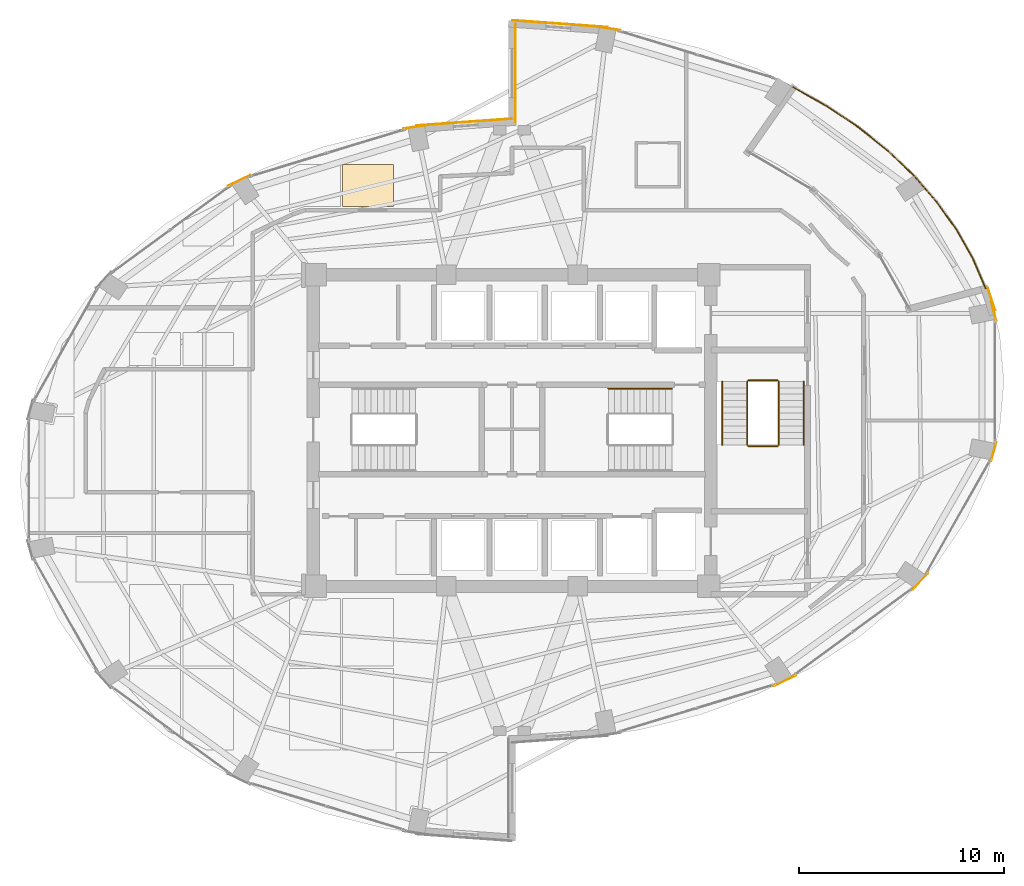
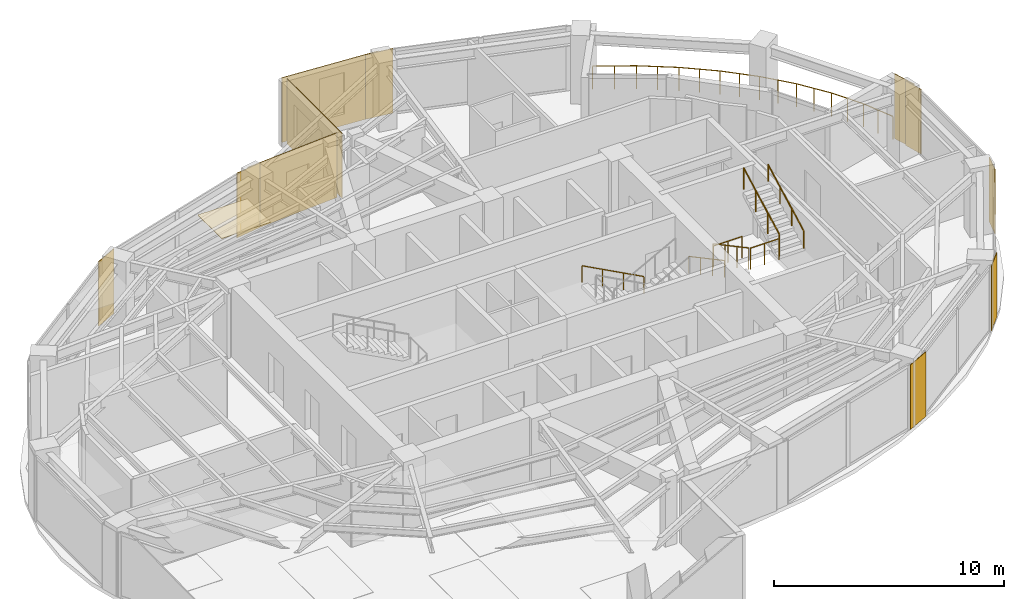
# One storey, part 19 of 19: 15 railings, 12 coverings.
"""IFC4 building model written with IfcOpenShell, lengths in metres."""

from ifc_helpers import new_model, si_unit, direction, frame, origin, origin_2d, place, context, subcontext, project, spatial, polyline, rectangle, circle, outline, extrude, material, layer, layer_set, type_object, element, save


model = new_model("IFC4")

# Units and contexts
model_context = context("Model", 3, precision=1e-05, world=origin(), true_north=direction((0.0, 1.0)))
body_context = subcontext(model_context, "Body", "Model", "MODEL_VIEW")
ifc_project = project(units=[si_unit("LENGTHUNIT", "METRE"), si_unit("AREAUNIT", "SQUARE_METRE"), si_unit("VOLUMEUNIT", "CUBIC_METRE"), si_unit("PLANEANGLEUNIT", "RADIAN"), si_unit("MASSUNIT", "GRAM", prefix="KILO")], contexts=[model_context])

# Site, building, storey
site_placement = place(None, origin())
site = spatial("IfcSite", under=ifc_project, at=site_placement, CompositionType="ELEMENT")
building_placement = place(site_placement, origin())
building = spatial("IfcBuilding", under=site, at=building_placement, Name="Lazwardi Medical Tower", CompositionType="ELEMENT")
storey_placement = place(building_placement, frame((0.0, 0.0, 163.823974609375)))
storey = spatial("IfcBuildingStorey", under=building, at=storey_placement, Name="L42", CompositionType="ELEMENT", Elevation=163.823974609375)

# Coverings
ifc_material_1 = material(Name="Anodised bronze aluminium cassette cladding", Category="aluminium")
ifc_layer_1 = layer(ifc_material_1, 0.030029296875)
ifc_layer_set_1 = layer_set([ifc_layer_1], Name="Anodised bronze aluminium cassette cladding")
covering_type_1 = type_object("IfcCoveringType", Name="COV-CLD-BRZ", PredefinedType="CLADDING", material=ifc_layer_set_1)
covering_1_placement = place(storey_placement, frame((49.31103515625, 15.798095703125, 0.0), z_axis=(0.0, 0.0, 1.0), x_axis=(0.898079014814, 0.439834154144, 0.0)))
element("IfcCovering", 1, at=covering_1_placement, inside=storey, type_object=covering_type_1, Name="L42 Mega-column bronze cassette cover M02", PredefinedType="CLADDING", context=body_context, shape_type="SweptSolid", body=[
    extrude(rectangle(XDim=1.200439453125, YDim=0.030029296875, at=origin_2d()), origin(), (0.0, 0.0, 1.0), 3.427978515625),
])
covering_2_placement = place(storey_placement, frame((55.92138671875, 20.643310546875, 0.0), z_axis=(0.0, 0.0, 1.0), x_axis=(0.673714459537, 0.738991763832, 0.0)))
element("IfcCovering", 2, at=covering_2_placement, inside=storey, type_object=covering_type_1, Name="L42 Mega-column bronze cassette cover M03", PredefinedType="CLADDING", context=body_context, shape_type="SweptSolid", body=[
    extrude(rectangle(XDim=1.0693359375, YDim=0.030029296875, at=origin_2d()), origin(), (0.0, 0.0, 1.0), 3.427978515625),
])
for number, where, z_axis, x_axis, name in (
    (3, (59.498779296875, 26.973876953125, 0.0), (0.0, 0.0, 1.0), (0.261828726257, 0.965114354938, 0.0), "L42 Mega-column bronze cassette cover M04"),
    (4, (59.498779296875, 33.826171875, 0.0), (0.0, 0.0, 1.0), (-0.261828726257, 0.965114354938, 0.0), "L42 Mega-column bronze cassette cover M05"),
):
    element("IfcCovering", number, at=place(storey_placement, frame(where, z_axis=z_axis, x_axis=x_axis)), inside=storey, type_object=covering_type_1, Name=name, PredefinedType="CLADDING", context=body_context, shape_type="SweptSolid", body=[
        extrude(rectangle(XDim=0.9658203125, YDim=0.030029296875, at=origin_2d()), origin(), (0.0, 0.0, 1.0), 3.427978515625),
    ])
for number, where, z_axis, x_axis, name in (
    (5, (40.67431640625, 47.6240234375, 0.0), (0.0, 0.0, 1.0), (-0.989539138138, 0.144264666823, 0.0), "L42 Mega-column bronze cassette cover M08"),
    (6, (31.32568359375, 42.82421875, 0.0), (0.0, 0.0, 1.0), (-0.989539138138, -0.144264666823, 0.0), "L42 Mega-column bronze cassette cover M09"),
):
    element("IfcCovering", number, at=place(storey_placement, frame(where, z_axis=z_axis, x_axis=x_axis)), inside=storey, type_object=covering_type_1, Name=name, PredefinedType="CLADDING", context=body_context, shape_type="SweptSolid", body=[
        extrude(rectangle(XDim=1.28515625, YDim=0.030029296875, at=origin_2d()), origin(), (0.0, 0.0, 1.0), 3.427978515625),
    ])
covering_3_placement = place(storey_placement, frame((22.68896484375, 40.201904296875, 0.0), z_axis=(0.0, 0.0, 1.0), x_axis=(-0.898079014814, -0.439834154144, 0.0)))
element("IfcCovering", 7, at=covering_3_placement, inside=storey, type_object=covering_type_1, Name="L42 Mega-column bronze cassette cover M10", PredefinedType="CLADDING", context=body_context, shape_type="SweptSolid", body=[
    extrude(rectangle(XDim=1.200439453125, YDim=0.030029296875, at=origin_2d()), origin(), (0.0, 0.0, 1.0), 3.427978515625),
])
ifc_material_2 = material(Name="Turquoise glazed ceramic tilework cladding", Category="masonry")
ifc_layer_2 = layer(ifc_material_2, 0.034912109375)
ifc_layer_set_2 = layer_set([ifc_layer_2], Name="Turquoise glazed ceramic tilework cladding")
covering_type_2 = type_object("IfcCoveringType", Name="COV-CLD-TRQ", PredefinedType="CLADDING", material=ifc_layer_set_2)
covering_4_placement = place(storey_placement, frame((38.338134765625, 47.847412109375, 0.0), z_axis=(0.0, 0.0, 1.0), x_axis=(-0.997414510753, 0.071863020663, 0.0)))
element("IfcCovering", 8, at=covering_4_placement, inside=storey, type_object=covering_type_2, Name="L42 Turquoise glazed ceramic tilework cladding", PredefinedType="CLADDING", context=body_context, shape_type="SweptSolid", body=[
    extrude(rectangle(XDim=4.6630859375, YDim=0.034912109375, at=origin_2d()), origin(), (0.0, 0.0, 1.0), 3.427978515625),
])
covering_5_placement = place(storey_placement, frame((33.66162109375, 43.047607421875, 0.0), z_axis=(0.0, 0.0, 1.0), x_axis=(-0.997414134466, -0.071868243112, 0.0)))
element("IfcCovering", 9, at=covering_5_placement, inside=storey, type_object=covering_type_2, Name="L42 Turquoise glazed ceramic tilework cladding", PredefinedType="CLADDING", context=body_context, shape_type="SweptSolid", body=[
    extrude(rectangle(XDim=4.66259765625, YDim=0.034912109375, at=origin_2d()), origin(), (0.0, 0.0, 1.0), 3.427978515625),
])
covering_6_placement = place(storey_placement, frame((36.175537109375, 45.43994140625, 0.0), z_axis=(0.0, 0.0, 1.0), x_axis=(0.0, -1.0, 0.0)))
element("IfcCovering", 10, at=covering_6_placement, inside=storey, type_object=covering_type_2, Name="L42 Turquoise glazed ceramic tilework iwan panel", PredefinedType="CLADDING", context=body_context, shape_type="SweptSolid", body=[
    extrude(rectangle(XDim=4.800048828125, YDim=0.034912109375, at=origin_2d()), origin(), (0.0, 0.0, 1.0), 3.427978515625),
])
covering_7_placement = place(storey_placement, frame((59.3916015625, 34.416015625, 0.0), z_axis=(0.0, 0.0, 1.0), x_axis=(-0.303560814538, 0.95281206535, 0.0)))
element("IfcCovering", 11, at=covering_7_placement, inside=storey, type_object=covering_type_2, Name="L42 Turquoise glazed ceramic tilework cladding", PredefinedType="CLADDING", context=body_context, shape_type="SweptSolid", body=[
    extrude(rectangle(XDim=1.167724609375, YDim=0.034912109375, at=origin_2d()), origin(), (0.0, 0.0, 1.0), 3.427978515625),
])
ifc_material_3 = material(Name="Acoustic mineral fibre tile")
ifc_layer_3 = layer(ifc_material_3, 0.02490234375)
ifc_layer_set_3 = layer_set([ifc_layer_3], Name="Acoustic mineral fibre tile")
covering_type_3 = type_object("IfcCoveringType", Name="COV-CLG-01", PredefinedType="CEILING", material=ifc_layer_set_3)
covering_8_placement = place(storey_placement, frame((0.0, 0.0, 3.282958984375)))
element("IfcCovering", 12, at=covering_8_placement, inside=storey, type_object=covering_type_3, Name="L42 Clinical Acoustic Ceiling 9", PredefinedType="CEILING", context=body_context, shape_type="SweptSolid", body=[
    extrude(outline(polyline([(27.742919921875, 38.925048828125), (30.222900390625, 38.925048828125), (30.222900390625, 40.992431640625), (27.742919921875, 40.992431640625), (27.742919921875, 38.925048828125)])), origin(), (0.0, 0.0, 1.0), 0.025146484375),
])

# Railings
ifc_material_4 = material(Name="Stainless steel Grade 316", Category="steel")
railing_type_1 = type_object("IfcRailingType", Name="RLG-GRD-1150", PredefinedType="GUARDRAIL", material=ifc_material_4)
railing_1_placement = place(storey_placement, frame((47.469970703125, 30.39990234375, 0.165771484375)))
element("IfcRailing", 13, at=railing_1_placement, inside=storey, type_object=railing_type_1, Name="L42 ST3 stair guard 1", PredefinedType="GUARDRAIL", context=body_context, shape_type="SweptSolid", body=[
    extrude(circle(Radius=0.02392578125, at=origin_2d()), frame((0.0, 0.0, 1.1259765625), z_axis=(0.0, -0.881767849116, 0.471683644262), x_axis=(1.0, 0.0, 0.0)), (0.0, 0.0, 1.0), 3.515380859375),
    extrude(circle(Radius=0.02099609375, at=origin_2d()), origin(), (0.0, 0.0, 1.0), 1.099853515625),
    extrude(circle(Radius=0.02099609375, at=origin_2d()), frame((0.0, -1.033203125, 0.552734375)), (0.0, 0.0, 1.0), 1.099853515625),
    extrude(circle(Radius=0.02099609375, at=origin_2d()), frame((0.0, -2.066650390625, 1.10546875)), (0.0, 0.0, 1.0), 1.099853515625),
    extrude(circle(Radius=0.02099609375, at=origin_2d()), frame((0.0, -3.099853515625, 1.658203125)), (0.0, 0.0, 1.0), 1.099853515625),
])
railing_2_placement = place(storey_placement, frame((47.52001953125, 27.25, 1.823974609375)))
element("IfcRailing", 14, at=railing_2_placement, inside=storey, type_object=railing_type_1, Name="L42 ST3 stair guard 2", PredefinedType="GUARDRAIL", context=body_context, shape_type="SweptSolid", body=[
    extrude(circle(Radius=0.02392578125, at=origin_2d()), frame((0.0, 0.0, 1.1259765625), z_axis=(1.0, 0.0, 0.0), x_axis=(0.0, 1.0, 0.0)), (0.0, 0.0, 1.0), 1.43994140625),
    extrude(circle(Radius=0.02099609375, at=origin_2d()), origin(), (0.0, 0.0, 1.0), 1.099853515625),
    extrude(circle(Radius=0.02099609375, at=origin_2d()), frame((0.719970703125, 0.0, 0.0)), (0.0, 0.0, 1.0), 1.099853515625),
    extrude(circle(Radius=0.02099609375, at=origin_2d()), frame((1.43994140625, 0.0, 0.0)), (0.0, 0.0, 1.0), 1.099853515625),
])
railing_3_placement = place(storey_placement, frame((49.010009765625, 27.300048828125, 1.98974609375)))
element("IfcRailing", 15, at=railing_3_placement, inside=storey, type_object=railing_type_1, Name="L42 ST3 stair guard 3", PredefinedType="GUARDRAIL", context=body_context, shape_type="SweptSolid", body=[
    extrude(circle(Radius=0.02392578125, at=origin_2d()), frame((0.0, 0.0, 1.1259765625), z_axis=(0.0, 0.881767849116, 0.471683644262), x_axis=(-1.0, 0.0, 0.0)), (0.0, 0.0, 1.0), 3.515380859375),
    extrude(circle(Radius=0.02099609375, at=origin_2d()), origin(), (0.0, 0.0, 1.0), 1.099853515625),
    extrude(circle(Radius=0.02099609375, at=origin_2d()), frame((0.0, 1.033203125, 0.552734375)), (0.0, 0.0, 1.0), 1.099853515625),
    extrude(circle(Radius=0.02099609375, at=origin_2d()), frame((0.0, 2.066650390625, 1.10546875)), (0.0, 0.0, 1.0), 1.099853515625),
    extrude(circle(Radius=0.02099609375, at=origin_2d()), frame((0.0, 3.099853515625, 1.658203125)), (0.0, 0.0, 1.0), 1.099853515625),
])
railing_4_placement = place(storey_placement, frame((47.52001953125, 30.449951171875, 0.0)))
element("IfcRailing", 16, at=railing_4_placement, inside=storey, type_object=railing_type_1, Name="L42 ST3 stair guard 4", PredefinedType="GUARDRAIL", context=body_context, shape_type="SweptSolid", body=[
    extrude(circle(Radius=0.02392578125, at=origin_2d()), frame((0.0, 0.0, 1.1259765625), z_axis=(1.0, 0.0, 0.0), x_axis=(0.0, 1.0, 0.0)), (0.0, 0.0, 1.0), 1.43994140625),
    extrude(circle(Radius=0.02099609375, at=origin_2d()), origin(), (0.0, 0.0, 1.0), 1.099853515625),
    extrude(circle(Radius=0.02099609375, at=origin_2d()), frame((0.719970703125, 0.0, 0.0)), (0.0, 0.0, 1.0), 1.099853515625),
    extrude(circle(Radius=0.02099609375, at=origin_2d()), frame((1.43994140625, 0.0, 0.0)), (0.0, 0.0, 1.0), 1.099853515625),
])
railing_type_2 = type_object("IfcRailingType", Name="RLG-HND-920", PredefinedType="HANDRAIL", material=ifc_material_4)
railing_5_placement = place(storey_placement, frame((43.800048828125, 30.050048828125, 0.165771484375)))
element("IfcRailing", 17, at=railing_5_placement, inside=storey, type_object=railing_type_2, Name="L42 ST2 stair handrail 1", PredefinedType="HANDRAIL", context=body_context, shape_type="SweptSolid", body=[
    extrude(circle(Radius=0.02392578125, at=origin_2d()), frame((0.0, 0.0, 0.8857421875), z_axis=(-0.881783298633, 0.0, 0.471654761719), x_axis=(0.0, -1.0, 0.0)), (0.0, 0.0, 1.0), 3.515625),
    extrude(circle(Radius=0.02099609375, at=origin_2d()), origin(), (0.0, 0.0, 1.0), 0.85986328125),
    extrude(circle(Radius=0.02099609375, at=origin_2d()), frame((-1.033447265625, 0.0, 0.552734375)), (0.0, 0.0, 1.0), 0.85986328125),
    extrude(circle(Radius=0.02099609375, at=origin_2d()), frame((-2.066650390625, 0.0, 1.10546875)), (0.0, 0.0, 1.0), 0.85986328125),
    extrude(circle(Radius=0.02099609375, at=origin_2d()), frame((-3.10009765625, 0.0, 1.658203125)), (0.0, 0.0, 1.0), 0.85986328125),
])
railing_6_placement = place(storey_placement, frame((46.25, 30.39990234375, 0.165771484375)))
element("IfcRailing", 18, at=railing_6_placement, inside=storey, type_object=railing_type_2, Name="L42 ST3 stair handrail 1", PredefinedType="HANDRAIL", context=body_context, shape_type="SweptSolid", body=[
    extrude(circle(Radius=0.02392578125, at=origin_2d()), frame((0.0, 0.0, 0.8857421875), z_axis=(0.0, -0.881767849116, 0.471683644262), x_axis=(1.0, 0.0, 0.0)), (0.0, 0.0, 1.0), 3.515380859375),
    extrude(circle(Radius=0.02099609375, at=origin_2d()), origin(), (0.0, 0.0, 1.0), 0.85986328125),
    extrude(circle(Radius=0.02099609375, at=origin_2d()), frame((0.0, -1.033203125, 0.552734375)), (0.0, 0.0, 1.0), 0.85986328125),
    extrude(circle(Radius=0.02099609375, at=origin_2d()), frame((0.0, -2.066650390625, 1.10546875)), (0.0, 0.0, 1.0), 0.85986328125),
    extrude(circle(Radius=0.02099609375, at=origin_2d()), frame((0.0, -3.099853515625, 1.658203125)), (0.0, 0.0, 1.0), 0.85986328125),
])
railing_7_placement = place(storey_placement, frame((50.22998046875, 27.300048828125, 1.98974609375)))
element("IfcRailing", 19, at=railing_7_placement, inside=storey, type_object=railing_type_2, Name="L42 ST3 stair handrail 2", PredefinedType="HANDRAIL", context=body_context, shape_type="SweptSolid", body=[
    extrude(circle(Radius=0.02392578125, at=origin_2d()), frame((0.0, 0.0, 0.8857421875), z_axis=(0.0, 0.881767849116, 0.471683644262), x_axis=(-1.0, 0.0, 0.0)), (0.0, 0.0, 1.0), 3.515380859375),
    extrude(circle(Radius=0.02099609375, at=origin_2d()), origin(), (0.0, 0.0, 1.0), 0.85986328125),
    extrude(circle(Radius=0.02099609375, at=origin_2d()), frame((0.0, 1.033203125, 0.552734375)), (0.0, 0.0, 1.0), 0.85986328125),
    extrude(circle(Radius=0.02099609375, at=origin_2d()), frame((0.0, 2.066650390625, 1.10546875)), (0.0, 0.0, 1.0), 0.85986328125),
    extrude(circle(Radius=0.02099609375, at=origin_2d()), frame((0.0, 3.099853515625, 1.658203125)), (0.0, 0.0, 1.0), 0.85986328125),
])
ifc_material_5 = material(Name="Anodised bronze aluminium and laminated glass", Category="aluminium")
railing_type_3 = type_object("IfcRailingType", Name="RLG-SKG-1250", PredefinedType="GUARDRAIL", material=ifc_material_5)
railing_8_placement = place(storey_placement, frame((59.10498046875, 34.9345703125, 0.0)))
element("IfcRailing", 20, at=railing_8_placement, inside=storey, type_object=railing_type_3, Name="L42 Sky Garden SG3 Perimeter Guard 01", PredefinedType="GUARDRAIL", context=body_context, shape_type="SweptSolid", body=[
    extrude(circle(Radius=0.02392578125, at=origin_2d()), frame((0.0, 0.0, 1.22607421875), z_axis=(-0.395534056858, 0.918451310558, 0.0), x_axis=(-0.918451310558, -0.395534056858, 0.0)), (0.0, 0.0, 1.0), 1.5869140625),
    extrude(circle(Radius=0.02099609375, at=origin_2d()), origin(), (0.0, 0.0, 1.0), 1.199951171875),
    extrude(circle(Radius=0.02099609375, at=origin_2d()), frame((-0.31396484375, 0.728759765625, 0.0)), (0.0, 0.0, 1.0), 1.199951171875),
    extrude(circle(Radius=0.02099609375, at=origin_2d()), frame((-0.627685546875, 1.45751953125, 0.0)), (0.0, 0.0, 1.0), 1.199951171875),
])
railing_9_placement = place(storey_placement, frame((58.477294921875, 36.39208984375, 0.0)))
element("IfcRailing", 21, at=railing_9_placement, inside=storey, type_object=railing_type_3, Name="L42 Sky Garden SG3 Perimeter Guard 02", PredefinedType="GUARDRAIL", context=body_context, shape_type="SweptSolid", body=[
    extrude(circle(Radius=0.02392578125, at=origin_2d()), frame((0.0, 0.0, 1.22607421875), z_axis=(-0.492146521214, 0.870512378808, 0.0), x_axis=(-0.870512378808, -0.492146521214, 0.0)), (0.0, 0.0, 1.0), 1.6220703125),
    extrude(circle(Radius=0.02099609375, at=origin_2d()), origin(), (0.0, 0.0, 1.0), 1.199951171875),
    extrude(circle(Radius=0.02099609375, at=origin_2d()), frame((-0.399169921875, 0.7060546875, 0.0)), (0.0, 0.0, 1.0), 1.199951171875),
    extrude(circle(Radius=0.02099609375, at=origin_2d()), frame((-0.79833984375, 1.412109375, 0.0)), (0.0, 0.0, 1.0), 1.199951171875),
])
railing_10_placement = place(storey_placement, frame((57.678955078125, 37.80419921875, 0.0)))
element("IfcRailing", 22, at=railing_10_placement, inside=storey, type_object=railing_type_3, Name="L42 Sky Garden SG3 Perimeter Guard 03", PredefinedType="GUARDRAIL", context=body_context, shape_type="SweptSolid", body=[
    extrude(circle(Radius=0.02392578125, at=origin_2d()), frame((0.0, 0.0, 1.22607421875), z_axis=(-0.57934829895, 0.815080087172, 0.0), x_axis=(-0.815080087172, -0.57934829895, 0.0)), (0.0, 0.0, 1.0), 1.663330078125),
    extrude(circle(Radius=0.02099609375, at=origin_2d()), origin(), (0.0, 0.0, 1.0), 1.199951171875),
    extrude(circle(Radius=0.02099609375, at=origin_2d()), frame((-0.48193359375, 0.677734375, 0.0)), (0.0, 0.0, 1.0), 1.199951171875),
    extrude(circle(Radius=0.02099609375, at=origin_2d()), frame((-0.963623046875, 1.355712890625, 0.0)), (0.0, 0.0, 1.0), 1.199951171875),
])
railing_11_placement = place(storey_placement, frame((56.71533203125, 39.159912109375, 0.0)))
element("IfcRailing", 23, at=railing_11_placement, inside=storey, type_object=railing_type_3, Name="L42 Sky Garden SG3 Perimeter Guard 04", PredefinedType="GUARDRAIL", context=body_context, shape_type="SweptSolid", body=[
    extrude(circle(Radius=0.02392578125, at=origin_2d()), frame((0.0, 0.0, 1.22607421875), z_axis=(-0.656245922632, 0.754547075423, 0.0), x_axis=(-0.754547075423, -0.656245922632, 0.0)), (0.0, 0.0, 1.0), 1.708740234375),
    extrude(circle(Radius=0.02099609375, at=origin_2d()), origin(), (0.0, 0.0, 1.0), 1.199951171875),
    extrude(circle(Radius=0.02099609375, at=origin_2d()), frame((-0.560546875, 0.64453125, 0.0)), (0.0, 0.0, 1.0), 1.199951171875),
    extrude(circle(Radius=0.02099609375, at=origin_2d()), frame((-1.121337890625, 1.289306640625, 0.0)), (0.0, 0.0, 1.0), 1.199951171875),
])
railing_12_placement = place(storey_placement, frame((55.593994140625, 40.44921875, 0.0)))
element("IfcRailing", 24, at=railing_12_placement, inside=storey, type_object=railing_type_3, Name="L42 Sky Garden SG3 Perimeter Guard 05", PredefinedType="GUARDRAIL", context=body_context, shape_type="SweptSolid", body=[
    extrude(circle(Radius=0.02392578125, at=origin_2d()), frame((0.0, 0.0, 1.22607421875), z_axis=(-0.723390263978, 0.690439371692, 0.0), x_axis=(-0.690439371692, -0.723390263978, 0.0)), (0.0, 0.0, 1.0), 1.756103515625),
    extrude(circle(Radius=0.02099609375, at=origin_2d()), origin(), (0.0, 0.0, 1.0), 1.199951171875),
    extrude(circle(Radius=0.02099609375, at=origin_2d()), frame((-0.63525390625, 0.606201171875, 0.0)), (0.0, 0.0, 1.0), 1.199951171875),
    extrude(circle(Radius=0.02099609375, at=origin_2d()), frame((-1.270263671875, 1.21240234375, 0.0)), (0.0, 0.0, 1.0), 1.199951171875),
])
railing_13_placement = place(storey_placement, frame((54.32373046875, 41.66162109375, 0.0)))
element("IfcRailing", 25, at=railing_13_placement, inside=storey, type_object=railing_type_3, Name="L42 Sky Garden SG3 Perimeter Guard 06", PredefinedType="GUARDRAIL", context=body_context, shape_type="SweptSolid", body=[
    extrude(circle(Radius=0.02392578125, at=origin_2d()), frame((0.0, 0.0, 1.22607421875), z_axis=(-0.781079926369, 0.624431059944, 0.0), x_axis=(-0.624431059944, -0.781079926369, 0.0)), (0.0, 0.0, 1.0), 1.8046875),
    extrude(circle(Radius=0.02099609375, at=origin_2d()), origin(), (0.0, 0.0, 1.0), 1.199951171875),
    extrude(circle(Radius=0.02099609375, at=origin_2d()), frame((-0.704833984375, 0.5634765625, 0.0)), (0.0, 0.0, 1.0), 1.199951171875),
    extrude(circle(Radius=0.02099609375, at=origin_2d()), frame((-1.40966796875, 1.126953125, 0.0)), (0.0, 0.0, 1.0), 1.199951171875),
])
railing_14_placement = place(storey_placement, frame((52.9140625, 42.78857421875, 0.0)))
element("IfcRailing", 26, at=railing_14_placement, inside=storey, type_object=railing_type_3, Name="L42 Sky Garden SG3 Perimeter Guard 07", PredefinedType="GUARDRAIL", context=body_context, shape_type="SweptSolid", body=[
    extrude(circle(Radius=0.02392578125, at=origin_2d()), frame((0.0, 0.0, 1.22607421875), z_axis=(-0.830363967784, 0.55722139317, 0.0), x_axis=(-0.55722139317, -0.830363967784, 0.0)), (0.0, 0.0, 1.0), 1.852783203125),
    extrude(circle(Radius=0.02099609375, at=origin_2d()), origin(), (0.0, 0.0, 1.0), 1.199951171875),
    extrude(circle(Radius=0.02099609375, at=origin_2d()), frame((-0.769287109375, 0.51611328125, 0.0)), (0.0, 0.0, 1.0), 1.199951171875),
    extrude(circle(Radius=0.02099609375, at=origin_2d()), frame((-1.53857421875, 1.032470703125, 0.0)), (0.0, 0.0, 1.0), 1.199951171875),
])
railing_15_placement = place(storey_placement, frame((51.37548828125, 43.821044921875, 0.0)))
element("IfcRailing", 27, at=railing_15_placement, inside=storey, type_object=railing_type_3, Name="L42 Sky Garden SG3 Perimeter Guard 08", PredefinedType="GUARDRAIL", context=body_context, shape_type="SweptSolid", body=[
    extrude(circle(Radius=0.02392578125, at=origin_2d()), frame((0.0, 0.0, 1.22607421875), z_axis=(-0.871757443153, 0.489937710641, 0.0), x_axis=(-0.489937710641, -0.871757443153, 0.0)), (0.0, 0.0, 1.0), 1.899169921875),
    extrude(circle(Radius=0.02099609375, at=origin_2d()), origin(), (0.0, 0.0, 1.0), 1.199951171875),
    extrude(circle(Radius=0.02099609375, at=origin_2d()), frame((-0.82763671875, 0.46533203125, 0.0)), (0.0, 0.0, 1.0), 1.199951171875),
    extrude(circle(Radius=0.02099609375, at=origin_2d()), frame((-1.655517578125, 0.930419921875, 0.0)), (0.0, 0.0, 1.0), 1.199951171875),
])

save(model, "model.ifc")
